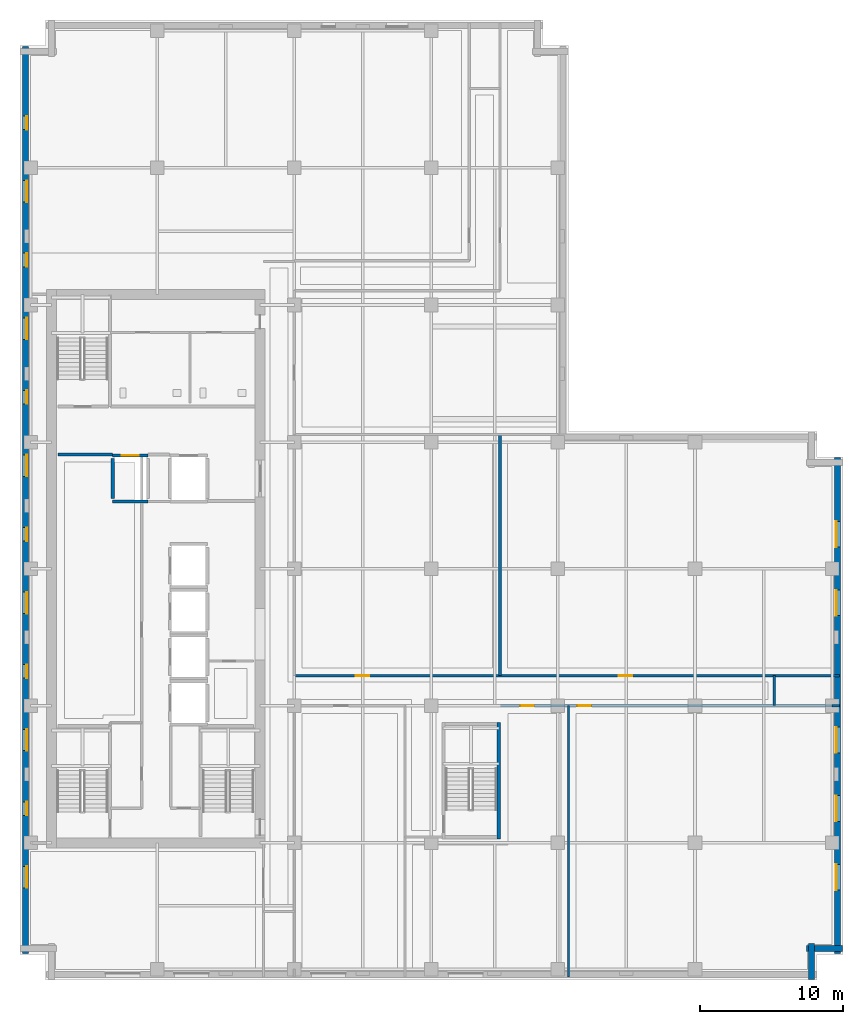
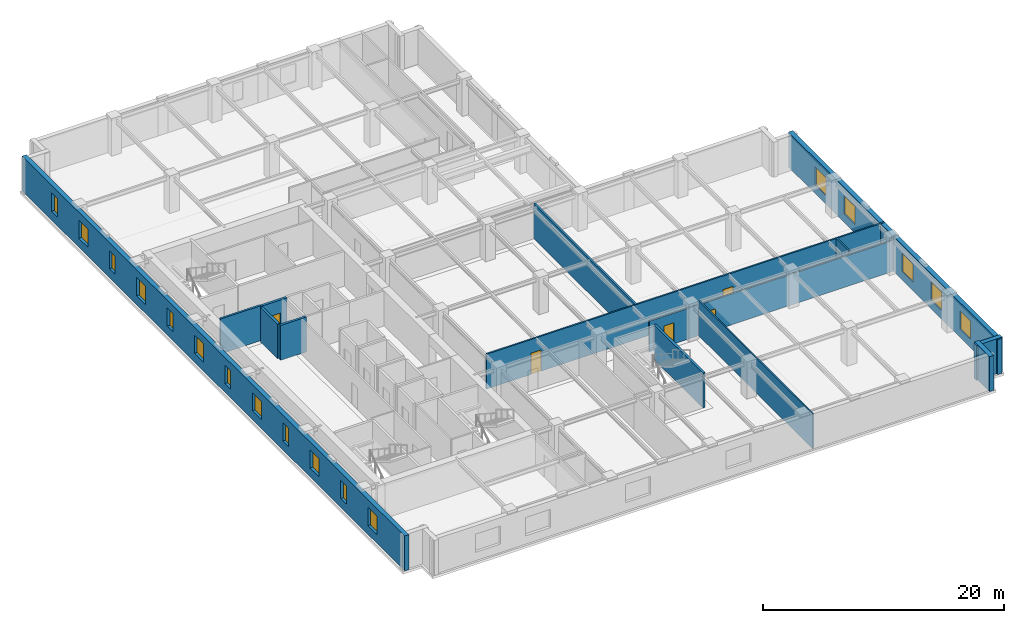
# One storey, part 6 of 13: 17 windows, 15 walls, 5 doors, 22 openings.
"""IFC4 building model written with IfcOpenShell, lengths in metres."""

from ifc_helpers import new_model, si_unit, direction, frame, frame_2d, origin, place, context, subcontext, project, spatial, rectangle, extrude, material, layer, layer_set, type_object, element, fill, save


model = new_model("IFC4")

# Units and contexts
model_context = context("Model", 3, precision=1e-05, world=origin(), true_north=direction((0.0, 1.0)))
body_context = subcontext(model_context, "Body", "Model", "MODEL_VIEW")
ifc_project = project(units=[si_unit("LENGTHUNIT", "METRE"), si_unit("AREAUNIT", "SQUARE_METRE"), si_unit("VOLUMEUNIT", "CUBIC_METRE"), si_unit("PLANEANGLEUNIT", "RADIAN"), si_unit("MASSUNIT", "GRAM", prefix="KILO")], contexts=[model_context])

# Site, building, storey
site_placement = place(None, origin())
site = spatial("IfcSite", under=ifc_project, at=site_placement, CompositionType="ELEMENT")
building_placement = place(site_placement, origin())
building = spatial("IfcBuilding", under=site, at=building_placement, Name="Norrvale University Quadrangle", CompositionType="ELEMENT")
storey_placement = place(building_placement, frame((0.0, 0.0, 163.60009765625)))
storey = spatial("IfcBuildingStorey", under=building, at=storey_placement, Name="L41", CompositionType="ELEMENT", Elevation=163.60009765625)

# Walls
ifc_material_1 = material(Name="Buff Norman Clay Brick Masonry", Category="masonry")
ifc_layer_1 = layer(ifc_material_1, 0.419921875, Name="Buff Norman Clay Brick Masonry")
ifc_layer_set_1 = layer_set([ifc_layer_1], Name="Buff Norman Clay Brick Masonry")
wall_type_1 = type_object("IfcWallType", Name="Wall Buff Brick 420", PredefinedType="SOLIDWALL", material=ifc_layer_set_1)
for number, where, z_axis, x_axis, name in (
    (1, (55.409912109375, 0.0400390625, 0.0), (0.0, 0.0, 1.0), (0.0, 1.0, 0.0), "Exterior Brick Facade Wall L41-02.1"),
    (2, (55.06005859375, 2.18994140625, 0.0), (0.0, 0.0, 1.0), (1.0, 0.0, 0.0), "Exterior Brick Facade Wall L41-03.1"),
):
    element("IfcWall", number, at=place(storey_placement, frame(where, z_axis=z_axis, x_axis=x_axis)), inside=storey, type_object=wall_type_1, Name=name, PredefinedType="SOLIDWALL", context=body_context, shape_type="SweptSolid", body=[
        extrude(rectangle(XDim=2.5, YDim=0.419921875, at=frame_2d((1.25, 0.0))), origin(), (0.0, 0.0, 1.0), 3.539794921875),
    ])

# Wall, openings, windows
wall_1_placement = place(storey_placement, frame((57.2099609375, 1.840087890625, 0.0), z_axis=(0.0, 0.0, 1.0), x_axis=(0.0, 1.0, 0.0)))
wall_1 = element("IfcWall", 3, at=wall_1_placement, inside=storey, type_object=wall_type_1, Name="Exterior Brick Facade Wall L41-04.1", PredefinedType="SOLIDWALL", context=body_context, shape_type="SweptSolid", body=[
    extrude(rectangle(XDim=34.719970703125, YDim=0.419921875, at=frame_2d((17.35986328125, 0.0))), origin(), (0.0, 0.0, 1.0), 3.539794921875),
])
opening_1_placement = place(wall_1_placement, frame((4.4599609375, 0.0, 0.85009765625)))
opening_1 = element("IfcOpeningElement", 4, at=opening_1_placement, cuts=wall_1, Name="Opening W01", PredefinedType="OPENING", context=body_context, shape_type="SweptSolid", body=[
    extrude(rectangle(XDim=1.800048828125, YDim=1.85009765625, at=frame_2d((0.89990234375, 0.925048828125))), frame((0.0, 0.221923828125, 0.0), z_axis=(0.0, -1.0, 0.0), x_axis=(1.0, 0.0, 0.0)), (0.0, 0.0, 1.0), 0.44384765625),
])
opening_2_placement = place(wall_1_placement, frame((9.260009765625, 0.0, 0.85009765625)))
opening_2 = element("IfcOpeningElement", 5, at=opening_2_placement, cuts=wall_1, Name="Opening W01", PredefinedType="OPENING", context=body_context, shape_type="SweptSolid", body=[
    extrude(rectangle(XDim=1.800048828125, YDim=1.85009765625, at=frame_2d((0.89990234375, 0.925048828125))), frame((0.0, 0.221923828125, 0.0), z_axis=(0.0, -1.0, 0.0), x_axis=(1.0, 0.0, 0.0)), (0.0, 0.0, 1.0), 0.44384765625),
])
opening_3_placement = place(wall_1_placement, frame((14.06005859375, 0.0, 0.85009765625)))
opening_3 = element("IfcOpeningElement", 6, at=opening_3_placement, cuts=wall_1, Name="Opening W01", PredefinedType="OPENING", context=body_context, shape_type="SweptSolid", body=[
    extrude(rectangle(XDim=1.800048828125, YDim=1.85009765625, at=frame_2d((0.89990234375, 0.925048828125))), frame((0.0, 0.221923828125, 0.0), z_axis=(0.0, -1.0, 0.0), x_axis=(1.0, 0.0, 0.0)), (0.0, 0.0, 1.0), 0.44384765625),
])
opening_4_placement = place(wall_1_placement, frame((23.659912109375, 0.0, 0.85009765625)))
opening_4 = element("IfcOpeningElement", 7, at=opening_4_placement, cuts=wall_1, Name="Opening W01", PredefinedType="OPENING", context=body_context, shape_type="SweptSolid", body=[
    extrude(rectangle(XDim=1.800048828125, YDim=1.85009765625, at=frame_2d((0.89990234375, 0.925048828125))), frame((0.0, 0.221923828125, 0.0), z_axis=(0.0, -1.0, 0.0), x_axis=(1.0, 0.0, 0.0)), (0.0, 0.0, 1.0), 0.44384765625),
])
opening_5_placement = place(wall_1_placement, frame((28.4599609375, 0.0, 0.85009765625)))
opening_5 = element("IfcOpeningElement", 8, at=opening_5_placement, cuts=wall_1, Name="Opening W01", PredefinedType="OPENING", context=body_context, shape_type="SweptSolid", body=[
    extrude(rectangle(XDim=1.800048828125, YDim=1.85009765625, at=frame_2d((0.89990234375, 0.925048828125))), frame((0.0, 0.221923828125, 0.0), z_axis=(0.0, -1.0, 0.0), x_axis=(1.0, 0.0, 0.0)), (0.0, 0.0, 1.0), 0.44384765625),
])
ifc_material_2 = material(Name="Triple Low-E Argon Glazing", Category="glass")
window_type_1 = type_object("IfcWindowType", Name="Window Academic 1800x2300", PartitioningType="DOUBLE_PANEL_VERTICAL", PredefinedType="WINDOW", material=ifc_material_2)
window_1_placement = place(opening_1_placement, origin())
window_1 = element("IfcWindow", 9, at=window_1_placement, inside=storey, type_object=window_type_1, Name="Window Academic 1800x2300 WIN-L41-E04-1-01", OverallHeight=1.85009765625, OverallWidth=1.800048828125, PartitioningType="DOUBLE_PANEL_VERTICAL", PredefinedType="WINDOW", context=body_context, shape_type="SweptSolid", body=[
    extrude(rectangle(XDim=1.800048828125, YDim=1.85009765625, at=frame_2d((0.89990234375, 0.925048828125))), frame((0.0, 0.110107421875, 0.0), z_axis=(0.0, -1.0, 0.0), x_axis=(1.0, 0.0, 0.0)), (0.0, 0.0, 1.0), 0.06005859375),
])
fill(opening_1, window_1)
window_2_placement = place(opening_2_placement, origin())
window_2 = element("IfcWindow", 10, at=window_2_placement, inside=storey, type_object=window_type_1, Name="Window Academic 1800x2300 WIN-L41-E04-1-02", OverallHeight=1.85009765625, OverallWidth=1.800048828125, PartitioningType="DOUBLE_PANEL_VERTICAL", PredefinedType="WINDOW", context=body_context, shape_type="SweptSolid", body=[
    extrude(rectangle(XDim=1.800048828125, YDim=1.85009765625, at=frame_2d((0.89990234375, 0.925048828125))), frame((0.0, 0.110107421875, 0.0), z_axis=(0.0, -1.0, 0.0), x_axis=(1.0, 0.0, 0.0)), (0.0, 0.0, 1.0), 0.06005859375),
])
fill(opening_2, window_2)
window_3_placement = place(opening_3_placement, origin())
window_3 = element("IfcWindow", 11, at=window_3_placement, inside=storey, type_object=window_type_1, Name="Window Academic 1800x2300 WIN-L41-E04-1-03", OverallHeight=1.85009765625, OverallWidth=1.800048828125, PartitioningType="DOUBLE_PANEL_VERTICAL", PredefinedType="WINDOW", context=body_context, shape_type="SweptSolid", body=[
    extrude(rectangle(XDim=1.800048828125, YDim=1.85009765625, at=frame_2d((0.89990234375, 0.925048828125))), frame((0.0, 0.110107421875, 0.0), z_axis=(0.0, -1.0, 0.0), x_axis=(1.0, 0.0, 0.0)), (0.0, 0.0, 1.0), 0.06005859375),
])
fill(opening_3, window_3)
window_4_placement = place(opening_4_placement, origin())
window_4 = element("IfcWindow", 12, at=window_4_placement, inside=storey, type_object=window_type_1, Name="Window Academic 1800x2300 WIN-L41-E04-1-04", OverallHeight=1.85009765625, OverallWidth=1.800048828125, PartitioningType="DOUBLE_PANEL_VERTICAL", PredefinedType="WINDOW", context=body_context, shape_type="SweptSolid", body=[
    extrude(rectangle(XDim=1.800048828125, YDim=1.85009765625, at=frame_2d((0.89990234375, 0.925048828125))), frame((0.0, 0.110107421875, 0.0), z_axis=(0.0, -1.0, 0.0), x_axis=(1.0, 0.0, 0.0)), (0.0, 0.0, 1.0), 0.06005859375),
])
fill(opening_4, window_4)
window_5_placement = place(opening_5_placement, origin())
window_5 = element("IfcWindow", 13, at=window_5_placement, inside=storey, type_object=window_type_1, Name="Window Academic 1800x2300 WIN-L41-E04-1-05", OverallHeight=1.85009765625, OverallWidth=1.800048828125, PartitioningType="DOUBLE_PANEL_VERTICAL", PredefinedType="WINDOW", context=body_context, shape_type="SweptSolid", body=[
    extrude(rectangle(XDim=1.800048828125, YDim=1.85009765625, at=frame_2d((0.89990234375, 0.925048828125))), frame((0.0, 0.110107421875, 0.0), z_axis=(0.0, -1.0, 0.0), x_axis=(1.0, 0.0, 0.0)), (0.0, 0.0, 1.0), 0.06005859375),
])
fill(opening_5, window_5)

wall_2_placement = place(storey_placement, frame((0.389892578125, 65.360107421875, 0.0), z_axis=(0.0, 0.0, 1.0), x_axis=(0.0, -1.0, 0.0)))
wall_2 = element("IfcWall", 14, at=wall_2_placement, inside=storey, type_object=wall_type_1, Name="Exterior Brick Facade Wall L41-14.1", PredefinedType="SOLIDWALL", context=body_context, shape_type="SweptSolid", body=[
    extrude(rectangle(XDim=63.52001953125, YDim=0.419921875, at=frame_2d((31.760009765625, 0.0))), origin(), (0.0, 0.0, 1.0), 3.539794921875),
])
opening_6_placement = place(wall_2_placement, frame((4.885009765625, 0.0, 0.89990234375)))
opening_6 = element("IfcOpeningElement", 15, at=opening_6_placement, cuts=wall_2, Name="Opening W04", PredefinedType="OPENING", context=body_context, shape_type="SweptSolid", body=[
    extrude(rectangle(XDim=0.949951171875, YDim=1.85009765625, at=frame_2d((0.47509765625, 0.925048828125))), frame((0.0, 0.221923828125, 0.0), z_axis=(0.0, -1.0, 0.0), x_axis=(1.0, 0.0, 0.0)), (0.0, 0.0, 1.0), 0.44384765625),
])
opening_7_placement = place(wall_2_placement, frame((9.409912109375, 0.0, 0.89990234375)))
opening_7 = element("IfcOpeningElement", 16, at=opening_7_placement, cuts=wall_2, Name="Opening W03", PredefinedType="OPENING", context=body_context, shape_type="SweptSolid", body=[
    extrude(rectangle(XDim=1.5, YDim=1.85009765625, at=frame_2d((0.75, 0.925048828125))), frame((0.0, 0.221923828125, 0.0), z_axis=(0.0, -1.0, 0.0), x_axis=(1.0, 0.0, 0.0)), (0.0, 0.0, 1.0), 0.44384765625),
])
opening_8_placement = place(wall_2_placement, frame((14.485107421875, 0.0, 0.89990234375)))
opening_8 = element("IfcOpeningElement", 17, at=opening_8_placement, cuts=wall_2, Name="Opening W04", PredefinedType="OPENING", context=body_context, shape_type="SweptSolid", body=[
    extrude(rectangle(XDim=0.949951171875, YDim=1.85009765625, at=frame_2d((0.47509765625, 0.925048828125))), frame((0.0, 0.221923828125, 0.0), z_axis=(0.0, -1.0, 0.0), x_axis=(1.0, 0.0, 0.0)), (0.0, 0.0, 1.0), 0.44384765625),
])
opening_9_placement = place(wall_2_placement, frame((19.010009765625, 0.0, 0.89990234375)))
opening_9 = element("IfcOpeningElement", 18, at=opening_9_placement, cuts=wall_2, Name="Opening W03", PredefinedType="OPENING", context=body_context, shape_type="SweptSolid", body=[
    extrude(rectangle(XDim=1.5, YDim=1.85009765625, at=frame_2d((0.75, 0.925048828125))), frame((0.0, 0.221923828125, 0.0), z_axis=(0.0, -1.0, 0.0), x_axis=(1.0, 0.0, 0.0)), (0.0, 0.0, 1.0), 0.44384765625),
])
opening_10_placement = place(wall_2_placement, frame((24.0849609375, 0.0, 0.89990234375)))
opening_10 = element("IfcOpeningElement", 19, at=opening_10_placement, cuts=wall_2, Name="Opening W04", PredefinedType="OPENING", context=body_context, shape_type="SweptSolid", body=[
    extrude(rectangle(XDim=0.949951171875, YDim=1.85009765625, at=frame_2d((0.47509765625, 0.925048828125))), frame((0.0, 0.221923828125, 0.0), z_axis=(0.0, -1.0, 0.0), x_axis=(1.0, 0.0, 0.0)), (0.0, 0.0, 1.0), 0.44384765625),
])
opening_11_placement = place(wall_2_placement, frame((28.610107421875, 0.0, 0.89990234375)))
opening_11 = element("IfcOpeningElement", 20, at=opening_11_placement, cuts=wall_2, Name="Opening W03", PredefinedType="OPENING", context=body_context, shape_type="SweptSolid", body=[
    extrude(rectangle(XDim=1.5, YDim=1.85009765625, at=frame_2d((0.75, 0.925048828125))), frame((0.0, 0.221923828125, 0.0), z_axis=(0.0, -1.0, 0.0), x_axis=(1.0, 0.0, 0.0)), (0.0, 0.0, 1.0), 0.44384765625),
])
opening_12_placement = place(wall_2_placement, frame((33.68505859375, 0.0, 0.89990234375)))
opening_12 = element("IfcOpeningElement", 21, at=opening_12_placement, cuts=wall_2, Name="Opening W04", PredefinedType="OPENING", context=body_context, shape_type="SweptSolid", body=[
    extrude(rectangle(XDim=0.949951171875, YDim=1.85009765625, at=frame_2d((0.47509765625, 0.925048828125))), frame((0.0, 0.221923828125, 0.0), z_axis=(0.0, -1.0, 0.0), x_axis=(1.0, 0.0, 0.0)), (0.0, 0.0, 1.0), 0.44384765625),
])
opening_13_placement = place(wall_2_placement, frame((38.2099609375, 0.0, 0.89990234375)))
opening_13 = element("IfcOpeningElement", 22, at=opening_13_placement, cuts=wall_2, Name="Opening W03", PredefinedType="OPENING", context=body_context, shape_type="SweptSolid", body=[
    extrude(rectangle(XDim=1.5, YDim=1.85009765625, at=frame_2d((0.75, 0.925048828125))), frame((0.0, 0.221923828125, 0.0), z_axis=(0.0, -1.0, 0.0), x_axis=(1.0, 0.0, 0.0)), (0.0, 0.0, 1.0), 0.44384765625),
])
opening_14_placement = place(wall_2_placement, frame((43.284912109375, 0.0, 0.89990234375)))
opening_14 = element("IfcOpeningElement", 23, at=opening_14_placement, cuts=wall_2, Name="Opening W04", PredefinedType="OPENING", context=body_context, shape_type="SweptSolid", body=[
    extrude(rectangle(XDim=0.949951171875, YDim=1.85009765625, at=frame_2d((0.47509765625, 0.925048828125))), frame((0.0, 0.221923828125, 0.0), z_axis=(0.0, -1.0, 0.0), x_axis=(1.0, 0.0, 0.0)), (0.0, 0.0, 1.0), 0.44384765625),
])
opening_15_placement = place(wall_2_placement, frame((47.81005859375, 0.0, 0.89990234375)))
opening_15 = element("IfcOpeningElement", 24, at=opening_15_placement, cuts=wall_2, Name="Opening W03", PredefinedType="OPENING", context=body_context, shape_type="SweptSolid", body=[
    extrude(rectangle(XDim=1.5, YDim=1.85009765625, at=frame_2d((0.75, 0.925048828125))), frame((0.0, 0.221923828125, 0.0), z_axis=(0.0, -1.0, 0.0), x_axis=(1.0, 0.0, 0.0)), (0.0, 0.0, 1.0), 0.44384765625),
])
opening_16_placement = place(wall_2_placement, frame((52.885009765625, 0.0, 0.89990234375)))
opening_16 = element("IfcOpeningElement", 25, at=opening_16_placement, cuts=wall_2, Name="Opening W04", PredefinedType="OPENING", context=body_context, shape_type="SweptSolid", body=[
    extrude(rectangle(XDim=0.949951171875, YDim=1.85009765625, at=frame_2d((0.47509765625, 0.925048828125))), frame((0.0, 0.221923828125, 0.0), z_axis=(0.0, -1.0, 0.0), x_axis=(1.0, 0.0, 0.0)), (0.0, 0.0, 1.0), 0.44384765625),
])
opening_17_placement = place(wall_2_placement, frame((57.409912109375, 0.0, 0.89990234375)))
opening_17 = element("IfcOpeningElement", 26, at=opening_17_placement, cuts=wall_2, Name="Opening W03", PredefinedType="OPENING", context=body_context, shape_type="SweptSolid", body=[
    extrude(rectangle(XDim=1.5, YDim=1.85009765625, at=frame_2d((0.75, 0.925048828125))), frame((0.0, 0.221923828125, 0.0), z_axis=(0.0, -1.0, 0.0), x_axis=(1.0, 0.0, 0.0)), (0.0, 0.0, 1.0), 0.44384765625),
])
window_type_2 = type_object("IfcWindowType", Name="Window Narrow Pier 950x2300", PartitioningType="SINGLE_PANEL", PredefinedType="WINDOW", material=ifc_material_2)
window_6_placement = place(opening_6_placement, origin())
window_6 = element("IfcWindow", 27, at=window_6_placement, inside=storey, type_object=window_type_2, Name="Window Narrow Pier 950x2300 WIN-L41-E14-1-01", OverallHeight=1.85009765625, OverallWidth=0.949951171875, PartitioningType="SINGLE_PANEL", PredefinedType="WINDOW", context=body_context, shape_type="SweptSolid", body=[
    extrude(rectangle(XDim=0.949951171875, YDim=1.85009765625, at=frame_2d((0.47509765625, 0.925048828125))), frame((0.0, 0.110107421875, 0.0), z_axis=(0.0, -1.0, 0.0), x_axis=(1.0, 0.0, 0.0)), (0.0, 0.0, 1.0), 0.06005859375),
])
fill(opening_6, window_6)
window_7_placement = place(opening_8_placement, origin())
window_7 = element("IfcWindow", 28, at=window_7_placement, inside=storey, type_object=window_type_2, Name="Window Narrow Pier 950x2300 WIN-L41-E14-1-03", OverallHeight=1.85009765625, OverallWidth=0.949951171875, PartitioningType="SINGLE_PANEL", PredefinedType="WINDOW", context=body_context, shape_type="SweptSolid", body=[
    extrude(rectangle(XDim=0.949951171875, YDim=1.85009765625, at=frame_2d((0.47509765625, 0.925048828125))), frame((0.0, 0.110107421875, 0.0), z_axis=(0.0, -1.0, 0.0), x_axis=(1.0, 0.0, 0.0)), (0.0, 0.0, 1.0), 0.06005859375),
])
fill(opening_8, window_7)
window_8_placement = place(opening_10_placement, origin())
window_8 = element("IfcWindow", 29, at=window_8_placement, inside=storey, type_object=window_type_2, Name="Window Narrow Pier 950x2300 WIN-L41-E14-1-05", OverallHeight=1.85009765625, OverallWidth=0.949951171875, PartitioningType="SINGLE_PANEL", PredefinedType="WINDOW", context=body_context, shape_type="SweptSolid", body=[
    extrude(rectangle(XDim=0.949951171875, YDim=1.85009765625, at=frame_2d((0.47509765625, 0.925048828125))), frame((0.0, 0.110107421875, 0.0), z_axis=(0.0, -1.0, 0.0), x_axis=(1.0, 0.0, 0.0)), (0.0, 0.0, 1.0), 0.06005859375),
])
fill(opening_10, window_8)
window_9_placement = place(opening_12_placement, origin())
window_9 = element("IfcWindow", 30, at=window_9_placement, inside=storey, type_object=window_type_2, Name="Window Narrow Pier 950x2300 WIN-L41-E14-1-07", OverallHeight=1.85009765625, OverallWidth=0.949951171875, PartitioningType="SINGLE_PANEL", PredefinedType="WINDOW", context=body_context, shape_type="SweptSolid", body=[
    extrude(rectangle(XDim=0.949951171875, YDim=1.85009765625, at=frame_2d((0.47509765625, 0.925048828125))), frame((0.0, 0.110107421875, 0.0), z_axis=(0.0, -1.0, 0.0), x_axis=(1.0, 0.0, 0.0)), (0.0, 0.0, 1.0), 0.06005859375),
])
fill(opening_12, window_9)
window_10_placement = place(opening_14_placement, origin())
window_10 = element("IfcWindow", 31, at=window_10_placement, inside=storey, type_object=window_type_2, Name="Window Narrow Pier 950x2300 WIN-L41-E14-1-09", OverallHeight=1.85009765625, OverallWidth=0.949951171875, PartitioningType="SINGLE_PANEL", PredefinedType="WINDOW", context=body_context, shape_type="SweptSolid", body=[
    extrude(rectangle(XDim=0.949951171875, YDim=1.85009765625, at=frame_2d((0.47509765625, 0.925048828125))), frame((0.0, 0.110107421875, 0.0), z_axis=(0.0, -1.0, 0.0), x_axis=(1.0, 0.0, 0.0)), (0.0, 0.0, 1.0), 0.06005859375),
])
fill(opening_14, window_10)
window_11_placement = place(opening_16_placement, origin())
window_11 = element("IfcWindow", 32, at=window_11_placement, inside=storey, type_object=window_type_2, Name="Window Narrow Pier 950x2300 WIN-L41-E14-1-11", OverallHeight=1.85009765625, OverallWidth=0.949951171875, PartitioningType="SINGLE_PANEL", PredefinedType="WINDOW", context=body_context, shape_type="SweptSolid", body=[
    extrude(rectangle(XDim=0.949951171875, YDim=1.85009765625, at=frame_2d((0.47509765625, 0.925048828125))), frame((0.0, 0.110107421875, 0.0), z_axis=(0.0, -1.0, 0.0), x_axis=(1.0, 0.0, 0.0)), (0.0, 0.0, 1.0), 0.06005859375),
])
fill(opening_16, window_11)
window_type_3 = type_object("IfcWindowType", Name="Window Studio 1500x2300", PartitioningType="DOUBLE_PANEL_VERTICAL", PredefinedType="WINDOW", material=ifc_material_2)
window_12_placement = place(opening_7_placement, origin())
window_12 = element("IfcWindow", 33, at=window_12_placement, inside=storey, type_object=window_type_3, Name="Window Studio 1500x2300 WIN-L41-E14-1-02", OverallHeight=1.85009765625, OverallWidth=1.5, PartitioningType="DOUBLE_PANEL_VERTICAL", PredefinedType="WINDOW", context=body_context, shape_type="SweptSolid", body=[
    extrude(rectangle(XDim=1.5, YDim=1.85009765625, at=frame_2d((0.75, 0.925048828125))), frame((0.0, 0.110107421875, 0.0), z_axis=(0.0, -1.0, 0.0), x_axis=(1.0, 0.0, 0.0)), (0.0, 0.0, 1.0), 0.06005859375),
])
fill(opening_7, window_12)
window_13_placement = place(opening_9_placement, origin())
window_13 = element("IfcWindow", 34, at=window_13_placement, inside=storey, type_object=window_type_3, Name="Window Studio 1500x2300 WIN-L41-E14-1-04", OverallHeight=1.85009765625, OverallWidth=1.5, PartitioningType="DOUBLE_PANEL_VERTICAL", PredefinedType="WINDOW", context=body_context, shape_type="SweptSolid", body=[
    extrude(rectangle(XDim=1.5, YDim=1.85009765625, at=frame_2d((0.75, 0.925048828125))), frame((0.0, 0.110107421875, 0.0), z_axis=(0.0, -1.0, 0.0), x_axis=(1.0, 0.0, 0.0)), (0.0, 0.0, 1.0), 0.06005859375),
])
fill(opening_9, window_13)
window_14_placement = place(opening_11_placement, origin())
window_14 = element("IfcWindow", 35, at=window_14_placement, inside=storey, type_object=window_type_3, Name="Window Studio 1500x2300 WIN-L41-E14-1-06", OverallHeight=1.85009765625, OverallWidth=1.5, PartitioningType="DOUBLE_PANEL_VERTICAL", PredefinedType="WINDOW", context=body_context, shape_type="SweptSolid", body=[
    extrude(rectangle(XDim=1.5, YDim=1.85009765625, at=frame_2d((0.75, 0.925048828125))), frame((0.0, 0.110107421875, 0.0), z_axis=(0.0, -1.0, 0.0), x_axis=(1.0, 0.0, 0.0)), (0.0, 0.0, 1.0), 0.06005859375),
])
fill(opening_11, window_14)
window_15_placement = place(opening_13_placement, origin())
window_15 = element("IfcWindow", 36, at=window_15_placement, inside=storey, type_object=window_type_3, Name="Window Studio 1500x2300 WIN-L41-E14-1-08", OverallHeight=1.85009765625, OverallWidth=1.5, PartitioningType="DOUBLE_PANEL_VERTICAL", PredefinedType="WINDOW", context=body_context, shape_type="SweptSolid", body=[
    extrude(rectangle(XDim=1.5, YDim=1.85009765625, at=frame_2d((0.75, 0.925048828125))), frame((0.0, 0.110107421875, 0.0), z_axis=(0.0, -1.0, 0.0), x_axis=(1.0, 0.0, 0.0)), (0.0, 0.0, 1.0), 0.06005859375),
])
fill(opening_13, window_15)
window_16_placement = place(opening_15_placement, origin())
window_16 = element("IfcWindow", 37, at=window_16_placement, inside=storey, type_object=window_type_3, Name="Window Studio 1500x2300 WIN-L41-E14-1-10", OverallHeight=1.85009765625, OverallWidth=1.5, PartitioningType="DOUBLE_PANEL_VERTICAL", PredefinedType="WINDOW", context=body_context, shape_type="SweptSolid", body=[
    extrude(rectangle(XDim=1.5, YDim=1.85009765625, at=frame_2d((0.75, 0.925048828125))), frame((0.0, 0.110107421875, 0.0), z_axis=(0.0, -1.0, 0.0), x_axis=(1.0, 0.0, 0.0)), (0.0, 0.0, 1.0), 0.06005859375),
])
fill(opening_15, window_16)
window_17_placement = place(opening_17_placement, origin())
window_17 = element("IfcWindow", 38, at=window_17_placement, inside=storey, type_object=window_type_3, Name="Window Studio 1500x2300 WIN-L41-E14-1-12", OverallHeight=1.85009765625, OverallWidth=1.5, PartitioningType="DOUBLE_PANEL_VERTICAL", PredefinedType="WINDOW", context=body_context, shape_type="SweptSolid", body=[
    extrude(rectangle(XDim=1.5, YDim=1.85009765625, at=frame_2d((0.75, 0.925048828125))), frame((0.0, 0.110107421875, 0.0), z_axis=(0.0, -1.0, 0.0), x_axis=(1.0, 0.0, 0.0)), (0.0, 0.0, 1.0), 0.06005859375),
])
fill(opening_17, window_17)

# Walls
ifc_material_3 = material(Name="Standard Academic Gypsum Partition")
ifc_layer_2 = layer(ifc_material_3, 0.125, Name="Standard Academic Gypsum Partition")
ifc_layer_set_2 = layer_set([ifc_layer_2], Name="Standard Academic Gypsum Partition")
wall_type_2 = type_object("IfcWallType", Name="Wall Gypsum Academic 125", PredefinedType="PARTITIONING", material=ifc_layer_set_2)
wall_3_placement = place(storey_placement, frame((38.39990234375, 0.219970703125, 0.0), z_axis=(0.0, 0.0, 1.0), x_axis=(0.0, 1.0, 0.0)))
element("IfcWall", 39, at=wall_3_placement, inside=storey, type_object=wall_type_2, Name="Interior Partition WL-L41-SEP2", PredefinedType="PARTITIONING", context=body_context, shape_type="SweptSolid", body=[
    extrude(rectangle(XDim=18.97998046875, YDim=0.125, at=frame_2d((9.489990234375, 0.0))), origin(), (0.0, 0.0, 1.0), 3.539794921875),
])
ifc_material_4 = material(Name="Fire-Rated Gypsum Stud Partition")
ifc_layer_3 = layer(ifc_material_4, 0.14990234375, Name="Fire-Rated Gypsum Stud Partition")
ifc_layer_set_3 = layer_set([ifc_layer_3], Name="Fire-Rated Gypsum Stud Partition")
wall_type_3 = type_object("IfcWallType", Name="Wall Gypsum Corridor 150", PredefinedType="PARTITIONING", material=ifc_layer_set_3)
wall_4_placement = place(storey_placement, frame((52.800048828125, 19.199951171875, 0.0), z_axis=(0.0, 0.0, 1.0), x_axis=(0.0, 1.0, 0.0)))
element("IfcWall", 40, at=wall_4_placement, inside=storey, type_object=wall_type_3, Name="Interior Partition WL-L41-CESP-E", PredefinedType="PARTITIONING", context=body_context, shape_type="SweptSolid", body=[
    extrude(rectangle(XDim=2.10009765625, YDim=0.14990234375, at=frame_2d((1.050048828125, 0.0))), origin(), (0.0, 0.0, 1.0), 3.539794921875),
])

# Wall, openings, doors
wall_5_placement = place(storey_placement, frame((33.6201171875, 19.199951171875, 0.0), z_axis=(0.0, 0.0, 1.0), x_axis=(1.0, 0.0, 0.0)))
wall_5 = element("IfcWall", 41, at=wall_5_placement, inside=storey, type_object=wall_type_3, Name="Interior Partition WL-L41-SEW2", PredefinedType="PARTITIONING", context=body_context, shape_type="SweptSolid", body=[
    extrude(rectangle(XDim=23.22998046875, YDim=0.14990234375, at=frame_2d((11.614990234375, 0.0))), origin(), (0.0, 0.0, 1.0), 3.122802734375),
])
opening_18_placement = place(wall_5_placement, frame((1.39990234375, 0.0, 0.0)))
opening_18 = element("IfcOpeningElement", 42, at=opening_18_placement, cuts=wall_5, Name="Opening D07", PredefinedType="OPENING", context=body_context, shape_type="SweptSolid", body=[
    extrude(rectangle(XDim=0.949951171875, YDim=2.14990234375, at=frame_2d((0.47509765625, 1.074951171875))), frame((0.0, 0.0869140625, 0.0), z_axis=(0.0, -1.0, 0.0), x_axis=(1.0, 0.0, 0.0)), (0.0, 0.0, 1.0), 0.173828125),
])
opening_19_placement = place(wall_5_placement, frame((5.39990234375, 0.0, 0.0)))
opening_19 = element("IfcOpeningElement", 43, at=opening_19_placement, cuts=wall_5, Name="Opening D07", PredefinedType="OPENING", context=body_context, shape_type="SweptSolid", body=[
    extrude(rectangle(XDim=0.949951171875, YDim=2.14990234375, at=frame_2d((0.47509765625, 1.074951171875))), frame((0.0, 0.0869140625, 0.0), z_axis=(0.0, -1.0, 0.0), x_axis=(1.0, 0.0, 0.0)), (0.0, 0.0, 1.0), 0.173828125),
])
ifc_material_5 = material(Name="Solid-Core Maple Door", Category="wood")
door_type_1 = type_object("IfcDoorType", Name="Door Office 950x2150", OperationType="NOTDEFINED", PredefinedType="DOOR", material=ifc_material_5)
door_1_placement = place(opening_18_placement, origin())
door_1 = element("IfcDoor", 44, at=door_1_placement, inside=storey, type_object=door_type_1, Name="Door Office 950x2150 DR-L41-SE2", OperationType="SINGLE_SWING_RIGHT", OverallHeight=2.14990234375, OverallWidth=0.949951171875, PredefinedType="DOOR", context=body_context, shape_type="SweptSolid", body=[
    extrude(rectangle(XDim=0.949951171875, YDim=2.14990234375, at=frame_2d((0.47509765625, 1.074951171875))), frame((0.0, 0.02490234375, 0.0), z_axis=(0.0, -1.0, 0.0), x_axis=(1.0, 0.0, 0.0)), (0.0, 0.0, 1.0), 0.050048828125),
])
fill(opening_18, door_1)
door_2_placement = place(opening_19_placement, origin())
door_2 = element("IfcDoor", 45, at=door_2_placement, inside=storey, type_object=door_type_1, Name="Door Office 950x2150 DR-L41-SE3", OperationType="SINGLE_SWING_LEFT", OverallHeight=2.14990234375, OverallWidth=0.949951171875, PredefinedType="DOOR", context=body_context, shape_type="SweptSolid", body=[
    extrude(rectangle(XDim=0.949951171875, YDim=2.14990234375, at=frame_2d((0.47509765625, 1.074951171875))), frame((0.0, 0.02490234375, 0.0), z_axis=(0.0, -1.0, 0.0), x_axis=(1.0, 0.0, 0.0)), (0.0, 0.0, 1.0), 0.050048828125),
])
fill(opening_19, door_2)

# Wall
wall_6_placement = place(storey_placement, frame((56.85009765625, 19.199951171875, 0.0), z_axis=(0.0, 0.0, 1.0), x_axis=(1.0, 0.0, 0.0)))
element("IfcWall", 46, at=wall_6_placement, inside=storey, type_object=wall_type_3, Name="Interior Partition WL-L41-SEW2-B2", PredefinedType="PARTITIONING", context=body_context, shape_type="SweptSolid", body=[
    extrude(rectangle(XDim=0.52978515625, YDim=0.14990234375, at=frame_2d((0.264892578125, 0.0))), origin(), (0.0, 0.0, 1.0), 3.539794921875),
])

# Wall, openings, doors
wall_7_placement = place(storey_placement, frame((19.199951171875, 21.300048828125, 0.0), z_axis=(0.0, 0.0, 1.0), x_axis=(1.0, 0.0, 0.0)))
wall_7 = element("IfcWall", 47, at=wall_7_placement, inside=storey, type_object=wall_type_3, Name="Interior Partition WL-L41-MECW", PredefinedType="PARTITIONING", context=body_context, shape_type="SweptSolid", body=[
    extrude(rectangle(XDim=38.179931640625, YDim=0.14990234375, at=frame_2d((19.08984375, 0.0))), origin(), (0.0, 0.0, 1.0), 3.539794921875),
])
opening_20_placement = place(wall_7_placement, frame((4.300048828125, 0.0, 0.0)))
opening_20 = element("IfcOpeningElement", 48, at=opening_20_placement, cuts=wall_7, Name="Opening D07", PredefinedType="OPENING", context=body_context, shape_type="SweptSolid", body=[
    extrude(rectangle(XDim=0.949951171875, YDim=2.14990234375, at=frame_2d((0.47509765625, 1.074951171875))), frame((0.0, 0.0869140625, 0.0), z_axis=(0.0, -1.0, 0.0), x_axis=(1.0, 0.0, 0.0)), (0.0, 0.0, 1.0), 0.173828125),
])
opening_21_placement = place(wall_7_placement, frame((22.699951171875, 0.0, 0.0)))
opening_21 = element("IfcOpeningElement", 49, at=opening_21_placement, cuts=wall_7, Name="Opening D07", PredefinedType="OPENING", context=body_context, shape_type="SweptSolid", body=[
    extrude(rectangle(XDim=0.949951171875, YDim=2.14990234375, at=frame_2d((0.47509765625, 1.074951171875))), frame((0.0, 0.0869140625, 0.0), z_axis=(0.0, -1.0, 0.0), x_axis=(1.0, 0.0, 0.0)), (0.0, 0.0, 1.0), 0.173828125),
])
door_3_placement = place(opening_20_placement, origin())
door_3 = element("IfcDoor", 50, at=door_3_placement, inside=storey, type_object=door_type_1, Name="Door Office 950x2150 DR-L41-ME01", OperationType="SINGLE_SWING_LEFT", OverallHeight=2.14990234375, OverallWidth=0.949951171875, PredefinedType="DOOR", context=body_context, shape_type="SweptSolid", body=[
    extrude(rectangle(XDim=0.949951171875, YDim=2.14990234375, at=frame_2d((0.47509765625, 1.074951171875))), frame((0.0, 0.02490234375, 0.0), z_axis=(0.0, -1.0, 0.0), x_axis=(1.0, 0.0, 0.0)), (0.0, 0.0, 1.0), 0.050048828125),
])
fill(opening_20, door_3)
door_4_placement = place(opening_21_placement, origin())
door_4 = element("IfcDoor", 51, at=door_4_placement, inside=storey, type_object=door_type_1, Name="Door Office 950x2150 DR-L41-ME02", OperationType="SINGLE_SWING_RIGHT", OverallHeight=2.14990234375, OverallWidth=0.949951171875, PredefinedType="DOOR", context=body_context, shape_type="SweptSolid", body=[
    extrude(rectangle(XDim=0.949951171875, YDim=2.14990234375, at=frame_2d((0.47509765625, 1.074951171875))), frame((0.0, 0.02490234375, 0.0), z_axis=(0.0, -1.0, 0.0), x_axis=(1.0, 0.0, 0.0)), (0.0, 0.0, 1.0), 0.050048828125),
])
fill(opening_21, door_4)

# Walls
ifc_material_6 = material(Name="Acoustic Double-Stud Gypsum Partition")
ifc_layer_4 = layer(ifc_material_6, 0.179931640625, Name="Acoustic Double-Stud Gypsum Partition")
ifc_layer_set_4 = layer_set([ifc_layer_4], Name="Acoustic Double-Stud Gypsum Partition")
wall_type_4 = type_object("IfcWallType", Name="Wall Gypsum Lecture 180", PredefinedType="PARTITIONING", material=ifc_layer_set_4)
wall_8_placement = place(storey_placement, frame((33.60009765625, 21.300048828125, 0.0), z_axis=(0.0, 0.0, 1.0), x_axis=(0.0, 1.0, 0.0)))
element("IfcWall", 52, at=wall_8_placement, inside=storey, type_object=wall_type_4, Name="Interior Partition WL-L41-MEP01", PredefinedType="PARTITIONING", context=body_context, shape_type="SweptSolid", body=[
    extrude(rectangle(XDim=16.8798828125, YDim=0.179931640625, at=frame_2d((8.43994140625, 0.0))), origin(), (0.0, 0.0, 1.0), 3.539794921875),
])
ifc_material_7 = material(Name="Concrete Blockwork 20 MPa Rated Wall", Category="masonry")
ifc_layer_5 = layer(ifc_material_7, 0.199951171875, Name="Concrete Blockwork 20 MPa Rated Wall")
ifc_layer_set_5 = layer_set([ifc_layer_5], Name="Concrete Blockwork 20 MPa Rated Wall")
wall_type_5 = type_object("IfcWallType", Name="Wall Lobby 200", PredefinedType="SOLIDWALL", material=ifc_layer_set_5)
wall_9_placement = place(storey_placement, frame((2.64990234375, 36.780029296875, 0.0), z_axis=(0.0, 0.0, 1.0), x_axis=(1.0, 0.0, 0.0)))
element("IfcWall", 53, at=wall_9_placement, inside=storey, type_object=wall_type_5, Name="Interior Partition WL-L41-FF1", PredefinedType="SOLIDWALL", context=body_context, shape_type="SweptSolid", body=[
    extrude(rectangle(XDim=3.830078125, YDim=0.199951171875, at=frame_2d((1.9150390625, 0.0))), origin(), (0.0, 0.0, 1.0), 3.539794921875),
])
ifc_material_8 = material(Name="Concrete Blockwork 20 MPa Fire Shaft", Category="masonry")
ifc_layer_6 = layer(ifc_material_8, 0.219970703125, Name="Concrete Blockwork 20 MPa Fire Shaft")
ifc_layer_set_6 = layer_set([ifc_layer_6], Name="Concrete Blockwork 20 MPa Fire Shaft")
wall_type_6 = type_object("IfcWallType", Name="Wall Shaft 220", PredefinedType="SOLIDWALL", material=ifc_layer_set_6)
wall_10_placement = place(storey_placement, frame((33.510009765625, 9.8798828125, 0.0), z_axis=(0.0, 0.0, 1.0), x_axis=(0.0, 1.0, 0.0)))
element("IfcWall", 54, at=wall_10_placement, inside=storey, type_object=wall_type_6, Name="Stair ST-04 East Shaft Wall L41", PredefinedType="SOLIDWALL", context=body_context, shape_type="SweptSolid", body=[
    extrude(rectangle(XDim=8.14013671875, YDim=0.219970703125, at=frame_2d((4.070068359375, 0.0))), origin(), (0.0, 0.0, 1.0), 3.539794921875),
])
wall_11_placement = place(storey_placement, frame((6.489990234375, 33.7099609375, 0.0), z_axis=(0.0, 0.0, 1.0), x_axis=(0.0, 1.0, 0.0)))
element("IfcWall", 55, at=wall_11_placement, inside=storey, type_object=wall_type_6, Name="Hoistway FFL-01 West Wall L41", PredefinedType="SOLIDWALL", context=body_context, shape_type="SweptSolid", body=[
    extrude(rectangle(XDim=2.780029296875, YDim=0.219970703125, at=frame_2d((1.39013671875, 0.0))), origin(), (0.0, 0.0, 1.0), 3.539794921875),
])
wall_12_placement = place(storey_placement, frame((6.489990234375, 33.489990234375, 0.0), z_axis=(0.0, 0.0, 1.0), x_axis=(1.0, 0.0, 0.0)))
element("IfcWall", 56, at=wall_12_placement, inside=storey, type_object=wall_type_6, Name="Hoistway FFL-01 South Wall L41", PredefinedType="SOLIDWALL", context=body_context, shape_type="SweptSolid", body=[
    extrude(rectangle(XDim=2.469970703125, YDim=0.219970703125, at=frame_2d((1.23486328125, 0.0))), origin(), (0.0, 0.0, 1.0), 3.539794921875),
])

# Wall, opening, door
wall_13_placement = place(storey_placement, frame((6.489990234375, 36.7099609375, 0.0), z_axis=(0.0, 0.0, 1.0), x_axis=(1.0, 0.0, 0.0)))
wall_13 = element("IfcWall", 57, at=wall_13_placement, inside=storey, type_object=wall_type_6, Name="Hoistway FFL-01 North Wall L41", PredefinedType="SOLIDWALL", context=body_context, shape_type="SweptSolid", body=[
    extrude(rectangle(XDim=2.469970703125, YDim=0.219970703125, at=frame_2d((1.23486328125, 0.0))), origin(), (0.0, 0.0, 1.0), 3.539794921875),
])
opening_22_placement = place(wall_13_placement, frame((0.635009765625, 0.0, 0.0)))
opening_22 = element("IfcOpeningElement", 58, at=opening_22_placement, cuts=wall_13, Name="Opening LD2", PredefinedType="OPENING", context=body_context, shape_type="SweptSolid", body=[
    extrude(rectangle(XDim=1.199951171875, YDim=2.199951171875, at=frame_2d((0.60009765625, 1.10009765625))), frame((0.0, 0.1220703125, 0.0), z_axis=(0.0, -1.0, 0.0), x_axis=(1.0, 0.0, 0.0)), (0.0, 0.0, 1.0), 0.243896484375),
])
ifc_material_9 = material(Name="Stainless Steel 316L Firefighter Lift Door", Category="steel")
door_type_2 = type_object("IfcDoorType", Name="Door Fire Lift 1200x2200", OperationType="DOUBLE_DOOR_SLIDING", PredefinedType="DOOR", material=ifc_material_9)
door_5_placement = place(opening_22_placement, origin())
door_5 = element("IfcDoor", 59, at=door_5_placement, inside=storey, type_object=door_type_2, Name="Elevator Landing Door DR-L41-FFL-01", OperationType="DOUBLE_DOOR_SLIDING", OverallHeight=2.199951171875, OverallWidth=1.199951171875, PredefinedType="DOOR", context=body_context, shape_type="SweptSolid", body=[
    extrude(rectangle(XDim=1.199951171875, YDim=2.199951171875, at=frame_2d((0.60009765625, 1.10009765625))), frame((0.0, 0.02490234375, 0.0), z_axis=(0.0, -1.0, 0.0), x_axis=(1.0, 0.0, 0.0)), (0.0, 0.0, 1.0), 0.050048828125),
])
fill(opening_22, door_5)

save(model, "model.ifc")
